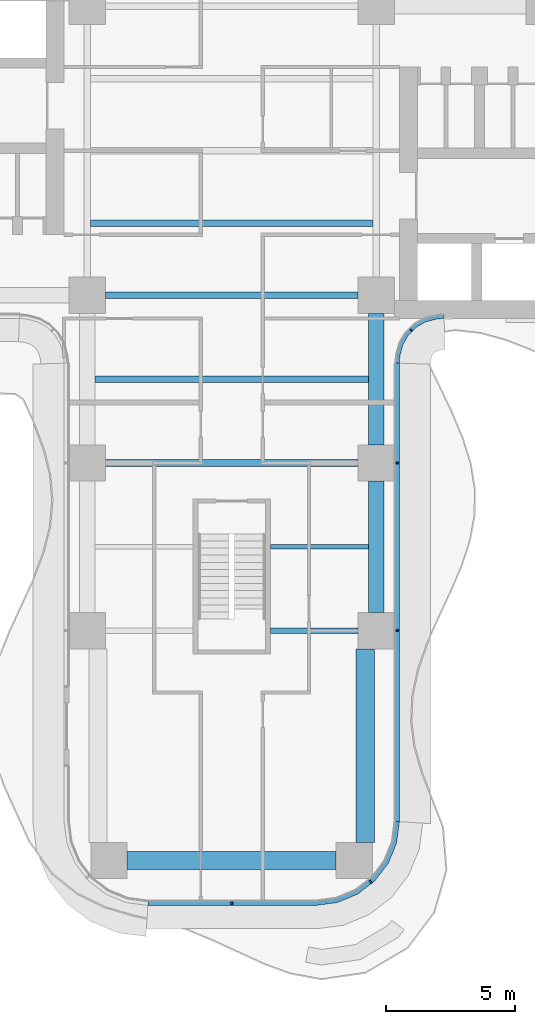
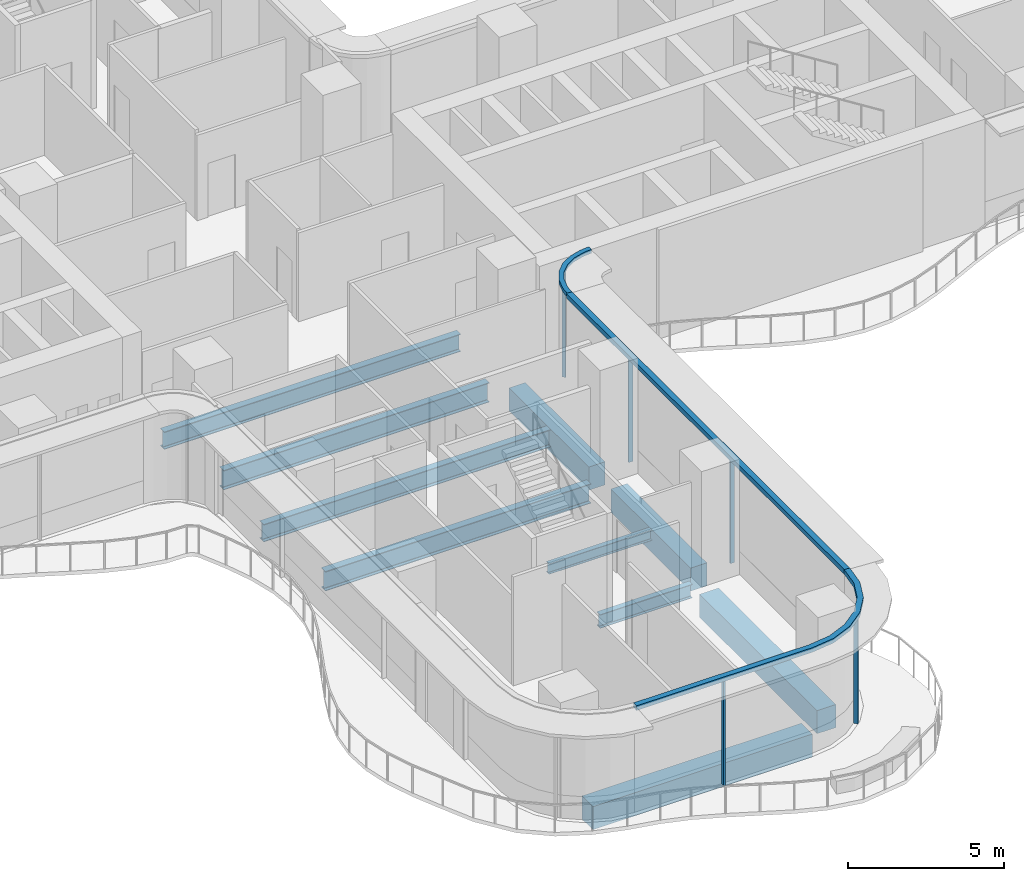
# One storey, part 5 of 22: 10 beams, 8 members, 3 elements without a shape of their own.
"""IFC4 building model written with IfcOpenShell, lengths in metres."""

from ifc_helpers import new_model, si_unit, direction, frame, origin, origin_2d, place, context, subcontext, project, spatial, polyline, rectangle, i_section, outline, extrude, source, transform, mapped, material, layer, layer_set, material_profile, profile_set, type_object, element, aggregate, save


model = new_model("IFC4")

# Units and contexts
model_context = context("Model", 3, precision=1e-05, world=origin(), true_north=direction((0.0, 1.0)))
body_context = subcontext(model_context, "Body", "Model", "MODEL_VIEW")
ifc_project = project(units=[si_unit("LENGTHUNIT", "METRE"), si_unit("AREAUNIT", "SQUARE_METRE"), si_unit("VOLUMEUNIT", "CUBIC_METRE"), si_unit("PLANEANGLEUNIT", "RADIAN"), si_unit("MASSUNIT", "GRAM", prefix="KILO")], contexts=[model_context])

# Site, building, storey
site_placement = place(None, origin())
site = spatial("IfcSite", under=ifc_project, at=site_placement, CompositionType="ELEMENT")
building_placement = place(site_placement, origin())
building = spatial("IfcBuilding", under=site, at=building_placement, Name="Trellis Farm Tower", CompositionType="ELEMENT")
storey_placement = place(building_placement, frame((0.0, 0.0, 52.0)))
storey = spatial("IfcBuildingStorey", under=building, at=storey_placement, Name="L10", CompositionType="ELEMENT", Elevation=52.0)

# Beams
ifc_material_1 = material(Name="Steel S355", Category="steel")
ifc_material_profile_1 = material_profile(ifc_material_1, i_section(OverallWidth=0.253662109375, OverallDepth=0.68359375, WebThickness=0.012451171875, FlangeThickness=0.021728515625, FilletRadius=0.01513671875, at=origin_2d()), Name="UB 686x254x140")
ifc_profile_set_1 = profile_set([ifc_material_profile_1], Name="Steel S355")
beam_type_1 = type_object("IfcBeamType", Name="UB 686x254x140 joist", PredefinedType="JOIST", material=ifc_profile_set_1)
shared_shape_1 = source(origin(), body_context, "Body", "SweptSolid", [
    extrude(i_section(OverallWidth=0.253662109375, OverallDepth=0.68359375, WebThickness=0.012451171875, FlangeThickness=0.021728515625, FilletRadius=0.01513671875, at=origin_2d()), origin(), (0.0, 0.0, 1.0), 10.93310546875),
])
beam_1_placement = place(storey_placement, frame((-5.466552734375, -2.800048828125, -0.591796875), z_axis=(1.0, 0.0, 0.0), x_axis=(0.0, 1.0, 0.0)))
element("IfcBeam", 1, at=beam_1_placement, inside=storey, type_object=beam_type_1, Name="Floor beam", PredefinedType="JOIST", context=body_context, shape_type="MappedRepresentation", body=[
    mapped(shared_shape_1, transform((0.0, 0.0, 0.0))),
])
ifc_material_profile_2 = material_profile(ifc_material_1, i_section(OverallWidth=0.209228515625, OverallDepth=0.533203125, WebThickness=0.010009765625, FlangeThickness=0.015625, FilletRadius=0.0126953125, at=origin_2d()), Name="UB 533x210x92")
ifc_profile_set_2 = profile_set([ifc_material_profile_2], Name="Steel S355")
beam_type_2 = type_object("IfcBeamType", Name="UB 533x210x92", PredefinedType="BEAM", material=ifc_profile_set_2)
shared_shape_2 = source(origin(), body_context, "Body", "SweptSolid", [
    extrude(i_section(OverallWidth=0.209228515625, OverallDepth=0.533203125, WebThickness=0.010009765625, FlangeThickness=0.015625, FilletRadius=0.0126953125, at=origin_2d()), origin(), (0.0, 0.0, 1.0), 3.39990234375),
])
beam_2_placement = place(storey_placement, frame((1.5, -18.60009765625, -0.5166015625), z_axis=(1.0, 0.0, 0.0), x_axis=(0.0, 1.0, 0.0)))
element("IfcBeam", 2, at=beam_2_placement, inside=storey, type_object=beam_type_2, Name="Girder", PredefinedType="BEAM", context=body_context, shape_type="MappedRepresentation", body=[
    mapped(shared_shape_2, transform((0.0, 0.0, 0.0))),
])
ifc_material_2 = material(Name="Concrete C60/75", Category="concrete")
ifc_material_profile_3 = material_profile(ifc_material_2, rectangle(XDim=0.60009765625, YDim=0.89990234375, at=origin_2d()), Name="RC spandrel beam 600x900 C60/75")
ifc_profile_set_3 = profile_set([ifc_material_profile_3], Name="Concrete C60/75")
beam_type_3 = type_object("IfcBeamType", Name="RC spandrel beam 600x900 C60/75", PredefinedType="SPANDREL", material=ifc_profile_set_3)
shared_shape_3 = source(origin(), body_context, "Body", "SweptSolid", [
    extrude(rectangle(XDim=0.60009765625, YDim=0.89990234375, at=origin_2d()), origin(), (0.0, 0.0, 1.0), 5.099853515625),
])
for number, where, z_axis, x_axis, name in (
    (3, (5.60009765625, -17.89990234375, -0.699951171875), (0.0, 1.0, 0.0), (-1.0, 0.0, 0.0), "Girder"),
    (4, (5.60009765625, -11.39990234375, -0.699951171875), (0.0, 1.0, 0.0), (-1.0, 0.0, 0.0), "Girder"),
):
    element("IfcBeam", number, at=place(storey_placement, frame(where, z_axis=z_axis, x_axis=x_axis)), inside=storey, type_object=beam_type_3, Name=name, PredefinedType="SPANDREL", context=body_context, shape_type="MappedRepresentation", body=[
        mapped(shared_shape_3, transform((0.0, 0.0, 0.0))),
    ])
ifc_material_profile_4 = material_profile(ifc_material_1, i_section(OverallWidth=0.2666015625, OverallDepth=0.76220703125, WebThickness=0.014404296875, FlangeThickness=0.021484375, FilletRadius=0.0166015625, at=origin_2d()), Name="UB 762x267x173")
ifc_profile_set_4 = profile_set([ifc_material_profile_4], Name="Steel S355")
beam_type_4 = type_object("IfcBeamType", Name="UB 762x267x173", PredefinedType="BEAM", material=ifc_profile_set_4)
shared_shape_4 = source(origin(), body_context, "Body", "SweptSolid", [
    extrude(i_section(OverallWidth=0.2666015625, OverallDepth=0.76220703125, WebThickness=0.014404296875, FlangeThickness=0.021484375, FilletRadius=0.0166015625, at=origin_2d()), origin(), (0.0, 0.0, 1.0), 9.7998046875),
])
for number, where, z_axis, x_axis, name in (
    (5, (-4.89990234375, -12.10009765625, -0.631103515625), (1.0, 0.0, 0.0), (0.0, 1.0, 0.0), "Girder"),
    (6, (-4.89990234375, -5.60009765625, -0.631103515625), (1.0, 0.0, 0.0), (0.0, 1.0, 0.0), "Girder"),
):
    element("IfcBeam", number, at=place(storey_placement, frame(where, z_axis=z_axis, x_axis=x_axis)), inside=storey, type_object=beam_type_4, Name=name, PredefinedType="BEAM", context=body_context, shape_type="MappedRepresentation", body=[
        mapped(shared_shape_4, transform((0.0, 0.0, 0.0))),
    ])
ifc_material_profile_5 = material_profile(ifc_material_2, rectangle(XDim=0.699951171875, YDim=0.89990234375, at=origin_2d()), Name="RC spandrel beam 700x900 C60/75")
ifc_profile_set_5 = profile_set([ifc_material_profile_5], Name="Concrete C60/75")
beam_type_5 = type_object("IfcBeamType", Name="RC spandrel beam 700x900 C60/75", PredefinedType="SPANDREL", material=ifc_profile_set_5)
shared_shape_5 = source(origin(), body_context, "Body", "SweptSolid", [
    extrude(rectangle(XDim=0.699951171875, YDim=0.89990234375, at=origin_2d()), origin(), (0.0, 0.0, 1.0), 8.10009765625),
])
beam_3_placement = place(storey_placement, frame((-4.050048828125, -27.5, -0.699951171875), z_axis=(1.0, 0.0, 0.0), x_axis=(0.0, 1.0, 0.0)))
element("IfcBeam", 7, at=beam_3_placement, inside=storey, type_object=beam_type_5, Name="Girder", PredefinedType="SPANDREL", context=body_context, shape_type="MappedRepresentation", body=[
    mapped(shared_shape_5, transform((0.0, 0.0, 0.0))),
])
shared_shape_6 = source(origin(), body_context, "Body", "SweptSolid", [
    extrude(rectangle(XDim=0.699951171875, YDim=0.89990234375, at=origin_2d()), origin(), (0.0, 0.0, 1.0), 7.5),
])
beam_4_placement = place(storey_placement, frame((5.175048828125, -26.800048828125, -0.699951171875), z_axis=(0.0, 1.0, 0.0), x_axis=(-1.0, 0.0, 0.0)))
element("IfcBeam", 8, at=beam_4_placement, inside=storey, type_object=beam_type_5, Name="Girder", PredefinedType="SPANDREL", context=body_context, shape_type="MappedRepresentation", body=[
    mapped(shared_shape_6, transform((0.0, 0.0, 0.0))),
])
ifc_material_profile_6 = material_profile(ifc_material_1, i_section(OverallWidth=0.177978515625, OverallDepth=0.406494140625, WebThickness=0.0078125, FlangeThickness=0.0126953125, FilletRadius=0.01025390625, at=origin_2d()), Name="UB 406x178x60")
ifc_profile_set_6 = profile_set([ifc_material_profile_6], Name="Steel S355")
beam_type_6 = type_object("IfcBeamType", Name="UB 406x178x60 joist", PredefinedType="JOIST", material=ifc_profile_set_6)
shared_shape_7 = source(origin(), body_context, "Body", "SweptSolid", [
    extrude(i_section(OverallWidth=0.177978515625, OverallDepth=0.406494140625, WebThickness=0.0078125, FlangeThickness=0.0126953125, FilletRadius=0.01025390625, at=origin_2d()), origin(), (0.0, 0.0, 1.0), 3.800048828125),
])
beam_5_placement = place(storey_placement, frame((1.5, -15.35009765625, -0.453125), z_axis=(1.0, 0.0, 0.0), x_axis=(0.0, 1.0, 0.0)))
element("IfcBeam", 9, at=beam_5_placement, inside=storey, type_object=beam_type_6, Name="Floor beam", PredefinedType="JOIST", context=body_context, shape_type="MappedRepresentation", body=[
    mapped(shared_shape_7, transform((0.0, 0.0, 0.0))),
])
shared_shape_8 = source(origin(), body_context, "Body", "SweptSolid", [
    extrude(i_section(OverallWidth=0.253662109375, OverallDepth=0.68359375, WebThickness=0.012451171875, FlangeThickness=0.021728515625, FilletRadius=0.01513671875, at=origin_2d()), origin(), (0.0, 0.0, 1.0), 10.60009765625),
])
beam_6_placement = place(storey_placement, frame((-5.300048828125, -8.85009765625, -0.591796875), z_axis=(1.0, 0.0, 0.0), x_axis=(0.0, 1.0, 0.0)))
element("IfcBeam", 10, at=beam_6_placement, inside=storey, type_object=beam_type_1, Name="Floor beam", PredefinedType="JOIST", context=body_context, shape_type="MappedRepresentation", body=[
    mapped(shared_shape_8, transform((0.0, 0.0, 0.0))),
])

# Curtain wall, members
ifc_material_3 = material(Name="Aluminium and glass curtain wall", Category="aluminium")
ifc_layer_1 = layer(ifc_material_3, 0.18994140625)
ifc_layer_set_1 = layer_set([ifc_layer_1], Name="RIBBON CURTAIN WALL CW1")
curtain_wall_type_1 = type_object("IfcCurtainWallType", Name="RIBBON CURTAIN WALL CW1", PredefinedType="NOTDEFINED", material=ifc_layer_set_1)
placement_1 = place(storey_placement, origin())
curtain_wall_1 = element("IfcCurtainWall", 11, at=placement_1, inside=storey, type_object=curtain_wall_type_1, Name="CW1 004", PredefinedType="NOTDEFINED")
ifc_material_4 = material(Name="Aluminium extrusion 6063-T6", Category="aluminium")
ifc_material_profile_7 = material_profile(ifc_material_4, rectangle(XDim=0.06005859375, YDim=0.14990234375, at=origin_2d()), Name="MULLION 60x150")
ifc_profile_set_7 = profile_set([ifc_material_profile_7], Name="Aluminium extrusion 6063-T6")
member_type_1 = type_object("IfcMemberType", Name="CW1 MULLION 60x150", PredefinedType="MULLION", material=ifc_profile_set_7)
shared_shape_9 = source(origin(), body_context, "Body", "SweptSolid", [
    extrude(rectangle(XDim=0.06005859375, YDim=0.14990234375, at=origin_2d()), origin(), (0.0, 0.0, 1.0), 4.070068359375),
])
member_1_placement = place(storey_placement, frame((0.0, -29.175048828125, 0.0), z_axis=(0.0, 0.0, 1.0), x_axis=(1.0, 0.0, 0.0)))
member_1 = element("IfcMember", 12, at=member_1_placement, type_object=member_type_1, Name="MU1 004-01", PredefinedType="MULLION", context=body_context, shape_type="MappedRepresentation", body=[
    mapped(shared_shape_9, transform((0.0, 0.0, 0.0))),
])
member_2_placement = place(storey_placement, frame((5.385498046875, -28.328369140625, 0.0), z_axis=(0.0, 0.0, 1.0), x_axis=(0.793353340291, 0.608761429009, 0.0)))
member_2 = element("IfcMember", 13, at=member_2_placement, type_object=member_type_1, Name="MU1 004-02", PredefinedType="MULLION", context=body_context, shape_type="MappedRepresentation", body=[
    mapped(shared_shape_9, transform((0.0, 0.0, 0.0))),
])

curtain_wall_2 = element("IfcCurtainWall", 14, at=placement_1, inside=storey, type_object=curtain_wall_type_1, Name="CW1 005", PredefinedType="NOTDEFINED")
member_3_placement = place(storey_placement, frame((6.425048828125, -18.60009765625, 0.0), z_axis=(0.0, 0.0, 1.0), x_axis=(0.0, 1.0, 0.0)))
member_3 = element("IfcMember", 15, at=member_3_placement, type_object=member_type_1, Name="MU1 005-01", PredefinedType="MULLION", context=body_context, shape_type="MappedRepresentation", body=[
    mapped(shared_shape_9, transform((0.0, 0.0, 0.0))),
])
member_4_placement = place(storey_placement, frame((6.425048828125, -12.10009765625, 0.0), z_axis=(0.0, 0.0, 1.0), x_axis=(0.0, 1.0, 0.0)))
member_4 = element("IfcMember", 16, at=member_4_placement, type_object=member_type_1, Name="MU1 005-02", PredefinedType="MULLION", context=body_context, shape_type="MappedRepresentation", body=[
    mapped(shared_shape_9, transform((0.0, 0.0, 0.0))),
])

# Curtain wall, member
ifc_layer_2 = layer(ifc_material_3, 0.166015625)
ifc_layer_set_2 = layer_set([ifc_layer_2], Name="WINTER GARDEN CURTAIN WALL CW3")
curtain_wall_type_2 = type_object("IfcCurtainWallType", Name="WINTER GARDEN CURTAIN WALL CW3", PredefinedType="NOTDEFINED", material=ifc_layer_set_2)
curtain_wall_3 = element("IfcCurtainWall", 17, at=placement_1, inside=storey, type_object=curtain_wall_type_2, Name="CW3 002", PredefinedType="NOTDEFINED")
ifc_material_profile_8 = material_profile(ifc_material_4, rectangle(XDim=0.050048828125, YDim=0.1201171875, at=origin_2d()), Name="MULLION 50x120")
ifc_profile_set_8 = profile_set([ifc_material_profile_8], Name="Aluminium extrusion 6063-T6")
member_type_2 = type_object("IfcMemberType", Name="CW3 MULLION 50x120", PredefinedType="MULLION", material=ifc_profile_set_8)
shared_shape_10 = source(origin(), body_context, "Body", "SweptSolid", [
    extrude(rectangle(XDim=0.050048828125, YDim=0.1201171875, at=origin_2d()), origin(), (0.0, 0.0, 1.0), 4.10009765625),
])
member_5_placement = place(storey_placement, frame((6.953125, -6.953125, 0.0), z_axis=(0.0, 0.0, 1.0), x_axis=(0.707106781187, 0.707106781187, 0.0)))
member_5 = element("IfcMember", 18, at=member_5_placement, type_object=member_type_2, Name="MU3 002-01", PredefinedType="MULLION", context=body_context, shape_type="MappedRepresentation", body=[
    mapped(shared_shape_10, transform((0.0, 0.0, 0.0))),
])

# Member
ifc_layer_3 = layer(ifc_material_4, 0.199951171875)
ifc_layer_set_3 = layer_set([ifc_layer_3], Name="Aluminium extrusion 6063-T6")
member_type_3 = type_object("IfcMemberType", Name="CW1 TRANSOM 200x180", PredefinedType="USERDEFINED", material=ifc_layer_set_3)
shared_shape_11 = source(origin(), body_context, "Body", "SweptSolid", [
    extrude(outline(polyline([(-3.25, -29.25), (3.25, -29.25), (4.091064453125, -29.13916015625), (4.875, -28.814697265625), (5.548095703125, -28.298095703125), (6.064697265625, -27.625), (6.38916015625, -26.841064453125), (6.5, -26.0), (6.300048828125, -25.98681640625), (6.1943359375, -26.7890625), (5.889892578125, -27.524169921875), (5.405517578125, -28.155517578125), (4.774169921875, -28.639892578125), (4.0390625, -28.9443359375), (3.23681640625, -29.050048828125), (-3.23681640625, -29.050048828125), (-3.25, -29.25)])), origin(), (0.0, 0.0, 1.0), 0.179931640625),
])
placement_2 = place(storey_placement, frame((0.0, 0.0, 4.070068359375)))
member_6 = element("IfcMember", 19, at=placement_2, type_object=member_type_3, Name="TR1 004", ObjectType="TRANSOM", PredefinedType="USERDEFINED", context=body_context, shape_type="MappedRepresentation", body=[
    mapped(shared_shape_11, transform((0.0, 0.0, 0.0))),
])

aggregate(curtain_wall_1, [member_1, member_2, member_6])

shared_shape_12 = source(origin(), body_context, "Body", "SweptSolid", [
    extrude(outline(polyline([(6.5, -26.0), (6.5, -8.2314453125), (6.300048828125, -8.224853515625), (6.300048828125, -25.98681640625), (6.5, -26.0)])), origin(), (0.0, 0.0, 1.0), 0.179931640625),
])
member_7 = element("IfcMember", 20, at=placement_2, type_object=member_type_3, Name="TR1 005", ObjectType="TRANSOM", PredefinedType="USERDEFINED", context=body_context, shape_type="MappedRepresentation", body=[
    mapped(shared_shape_12, transform((0.0, 0.0, 0.0))),
])

aggregate(curtain_wall_2, [member_3, member_4, member_7])

ifc_layer_4 = layer(ifc_material_4, 0.169921875)
ifc_layer_set_4 = layer_set([ifc_layer_4], Name="Aluminium extrusion 6063-T6")
member_type_4 = type_object("IfcMemberType", Name="CW3 TRANSOM 170x150", PredefinedType="USERDEFINED", material=ifc_layer_set_4)
shared_shape_13 = source(origin(), body_context, "Body", "SweptSolid", [
    extrude(outline(polyline([(6.5, -8.2314453125), (6.513916015625, -8.01953125), (6.527587890625, -7.91552734375), (6.63671875, -7.508544921875), (6.846923828125, -7.144287109375), (7.144287109375, -6.846923828125), (7.508544921875, -6.63671875), (7.91552734375, -6.527587890625), (8.01953125, -6.513916015625), (8.2314453125, -6.5), (8.225830078125, -6.330078125), (8.0029296875, -6.3447265625), (7.88232421875, -6.360595703125), (7.44287109375, -6.478271484375), (7.0400390625, -6.7109375), (6.7109375, -7.0400390625), (6.478271484375, -7.44287109375), (6.360595703125, -7.88232421875), (6.3447265625, -8.0029296875), (6.330078125, -8.225830078125), (6.5, -8.2314453125)])), origin(), (0.0, 0.0, 1.0), 0.14990234375),
])
member_8_placement = place(storey_placement, frame((0.0, 0.0, 4.10009765625)))
member_8 = element("IfcMember", 21, at=member_8_placement, type_object=member_type_4, Name="TR3 002", ObjectType="TRANSOM", PredefinedType="USERDEFINED", context=body_context, shape_type="MappedRepresentation", body=[
    mapped(shared_shape_13, transform((0.0, 0.0, 0.0))),
])

aggregate(curtain_wall_3, [member_5, member_8])

save(model, "model.ifc")
